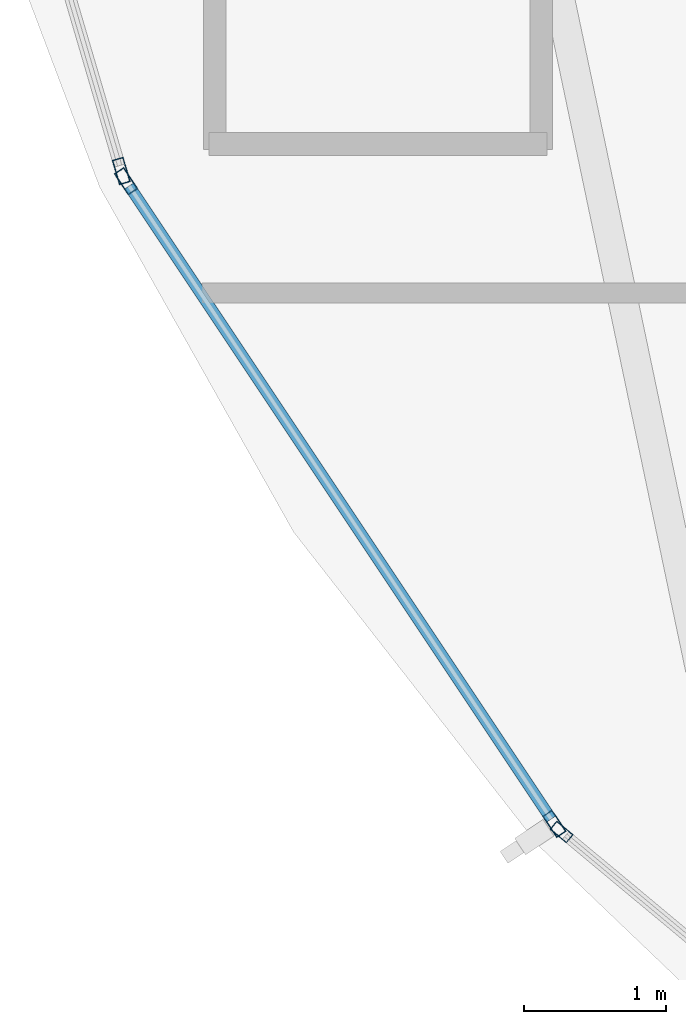
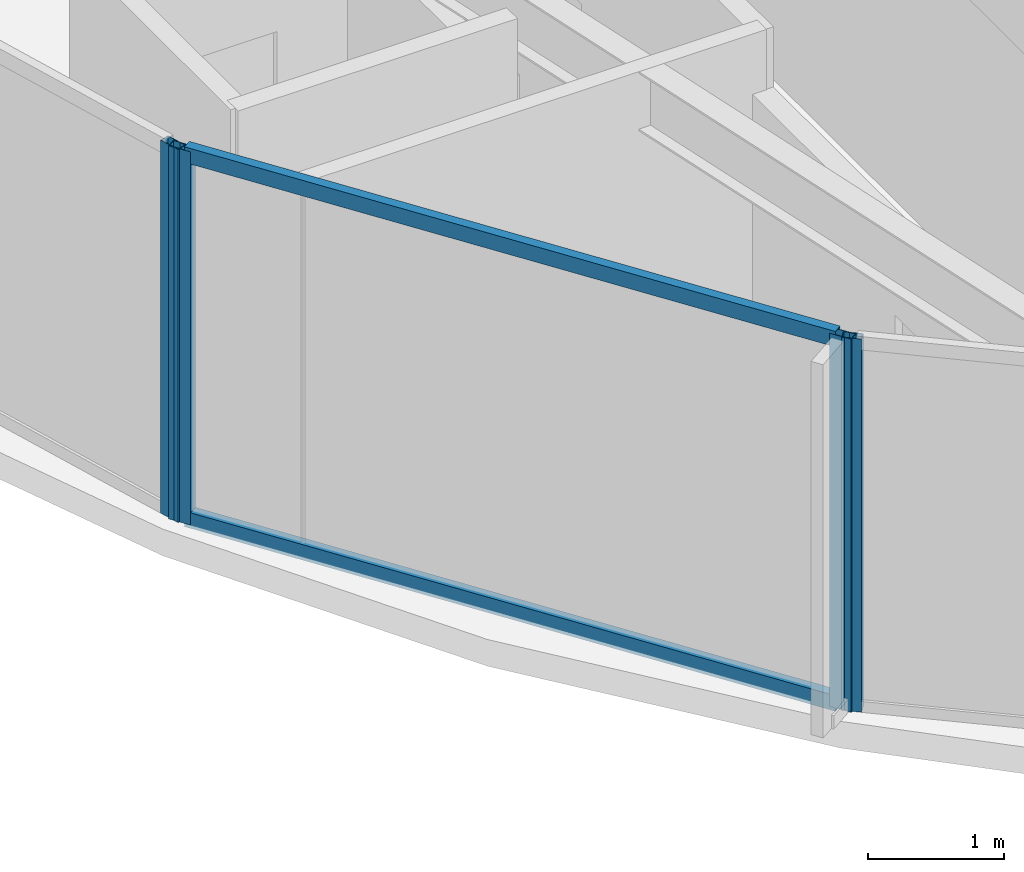
# One storey, part 3 of 29: 6 members, 3 elements without a shape of their own.
"""IFC4 building model written with IfcOpenShell, lengths in metres."""

from ifc_helpers import new_model, si_unit, direction, frame, origin, origin_2d, place, context, subcontext, project, spatial, hollow_rectangle, extrude, material, layer, layer_set, material_profile, profile_set, type_object, element, aggregate, save


model = new_model("IFC4")

# Units and contexts
model_context = context("Model", 3, precision=1e-05, world=origin(), true_north=direction((0.0, 1.0)))
body_context = subcontext(model_context, "Body", "Model", "MODEL_VIEW")
ifc_project = project(units=[si_unit("LENGTHUNIT", "METRE"), si_unit("AREAUNIT", "SQUARE_METRE"), si_unit("VOLUMEUNIT", "CUBIC_METRE"), si_unit("PLANEANGLEUNIT", "RADIAN"), si_unit("MASSUNIT", "GRAM", prefix="KILO")], contexts=[model_context])

# Site, building, storey
site_placement = place(None, origin())
site = spatial("IfcSite", under=ifc_project, at=site_placement, CompositionType="ELEMENT")
building_placement = place(site_placement, origin())
building = spatial("IfcBuilding", under=site, at=building_placement, Name="Kazevale Care Tower and Concert Hall", CompositionType="ELEMENT")
storey_placement = place(building_placement, frame((0.0, 0.0, 195.60009765625)))
storey = spatial("IfcBuildingStorey", under=building, at=storey_placement, Name="L51", CompositionType="ELEMENT", Elevation=195.60009765625)

# Curtain wall, members
ifc_material_1 = material(Name="Aluminium 6063-T6 and Low-E Glass", Category="aluminium")
ifc_layer_1 = layer(ifc_material_1, 0.179931640625)
ifc_layer_set_1 = layer_set([ifc_layer_1], Name="Aluminium 6063-T6 and Low-E Glass")
curtain_wall_type_1 = type_object("IfcCurtainWallType", Name="Waist & Upper Residential Curtain Wall CW-4", PredefinedType="NOTDEFINED", material=ifc_layer_set_1)
curtain_wall_1_placement = place(storey_placement, origin())
curtain_wall_1 = element("IfcCurtainWall", 1, at=curtain_wall_1_placement, inside=storey, type_object=curtain_wall_type_1, Name="cw:L51:f11", PredefinedType="NOTDEFINED")
ifc_material_2 = material(Name="Aluminium 6063-T6", Category="aluminium")
ifc_material_profile_1 = material_profile(ifc_material_2, hollow_rectangle(XDim=0.080078125, YDim=0.179931640625, WallThickness=0.0048828125, at=origin_2d()), Name="ALU80x180x5")
ifc_profile_set_1 = profile_set([ifc_material_profile_1], Name="Aluminium 6063-T6")
member_type_1 = type_object("IfcMemberType", Name="CW-4 Mullion ALU80x180x5", PredefinedType="MULLION", material=ifc_profile_set_1)
member_1_placement = place(storey_placement, frame((18.185791015625, 25.26318359375, 0.0), z_axis=(0.0, 0.0, 1.0), x_axis=(-0.832106058512, -0.554616540853, 0.0)))
member_1 = element("IfcMember", 2, at=member_1_placement, type_object=member_type_1, Name="CW-4 mullion 1", PredefinedType="MULLION", context=body_context, shape_type="SweptSolid", body=[
    extrude(hollow_rectangle(XDim=0.080078125, YDim=0.179931640625, WallThickness=0.0048828125, at=origin_2d()), origin(), (0.0, 0.0, 1.0), 3.35986328125),
])
member_2_placement = place(storey_placement, frame((15.170166015625, 29.78759765625, 0.0), z_axis=(0.0, 0.0, 1.0), x_axis=(-0.832106058512, -0.554616540853, 0.0)))
member_2 = element("IfcMember", 3, at=member_2_placement, type_object=member_type_1, Name="CW-4 mullion 2", PredefinedType="MULLION", context=body_context, shape_type="SweptSolid", body=[
    extrude(hollow_rectangle(XDim=0.080078125, YDim=0.179931640625, WallThickness=0.0048828125, at=origin_2d()), origin(), (0.0, 0.0, 1.0), 3.35986328125),
])

# Curtain wall, member
curtain_wall_2_placement = place(storey_placement, origin())
curtain_wall_2 = element("IfcCurtainWall", 4, at=curtain_wall_2_placement, inside=storey, type_object=curtain_wall_type_1, Name="cw:L51:f12", PredefinedType="NOTDEFINED")
member_3_placement = place(storey_placement, frame((15.13671875, 29.859375, 0.0), z_axis=(0.0, 0.0, 1.0), x_axis=(-0.959385539982, -0.282098184457, 0.0)))
member_3 = element("IfcMember", 5, at=member_3_placement, type_object=member_type_1, Name="CW-4 mullion 1", PredefinedType="MULLION", context=body_context, shape_type="SweptSolid", body=[
    extrude(hollow_rectangle(XDim=0.080078125, YDim=0.179931640625, WallThickness=0.0048828125, at=origin_2d()), origin(), (0.0, 0.0, 1.0), 3.35986328125),
])
aggregate(curtain_wall_2, [member_3])

# Member
ifc_material_profile_2 = material_profile(ifc_material_2, hollow_rectangle(XDim=0.080078125, YDim=0.139892578125, WallThickness=0.00390625, at=origin_2d()), Name="ALU80x140x4")
ifc_profile_set_2 = profile_set([ifc_material_profile_2], Name="Aluminium 6063-T6")
member_type_2 = type_object("IfcMemberType", Name="CW-4 Transom ALU80x140x4", PredefinedType="USERDEFINED", material=ifc_profile_set_2)
member_4_placement = place(storey_placement, frame((18.16357421875, 25.296630859375, 0.039794921875), z_axis=(-0.554616059735, 0.832106379187, 0.0), x_axis=(-0.832106379187, -0.554616059735, 0.0)))
member_4 = element("IfcMember", 6, at=member_4_placement, type_object=member_type_2, Name="CW-4 transom 1.1", ObjectType="TRANSOM", PredefinedType="USERDEFINED", context=body_context, shape_type="SweptSolid", body=[
    extrude(hollow_rectangle(XDim=0.080078125, YDim=0.139892578125, WallThickness=0.00390625, at=origin_2d()), origin(), (0.0, 0.0, 1.0), 5.357177734375),
])

member_5_placement = place(storey_placement, frame((18.16357421875, 25.296630859375, 3.31982421875), z_axis=(-0.554616059735, 0.832106379187, 0.0), x_axis=(-0.832106379187, -0.554616059735, 0.0)))
member_5 = element("IfcMember", 7, at=member_5_placement, type_object=member_type_2, Name="CW-4 transom 1.2", ObjectType="TRANSOM", PredefinedType="USERDEFINED", context=body_context, shape_type="SweptSolid", body=[
    extrude(hollow_rectangle(XDim=0.080078125, YDim=0.139892578125, WallThickness=0.00390625, at=origin_2d()), origin(), (0.0, 0.0, 1.0), 5.357177734375),
])

aggregate(curtain_wall_1, [member_1, member_2, member_4, member_5])

# Curtain wall, member
ifc_layer_2 = layer(ifc_material_1, 0.179931640625)
ifc_layer_set_2 = layer_set([ifc_layer_2], Name="Aluminium 6063-T6 and Low-E Glass")
curtain_wall_type_2 = type_object("IfcCurtainWallType", Name="Sheltered Concave Balcony Curtain Wall CW-5", PredefinedType="NOTDEFINED", material=ifc_layer_set_2)
curtain_wall_3_placement = place(storey_placement, origin())
curtain_wall_3 = element("IfcCurtainWall", 8, at=curtain_wall_3_placement, inside=storey, type_object=curtain_wall_type_2, Name="cw:L51:f10", PredefinedType="NOTDEFINED")
ifc_material_profile_3 = material_profile(ifc_material_2, hollow_rectangle(XDim=0.074951171875, YDim=0.14990234375, WallThickness=0.00390625, at=origin_2d()), Name="ALU75x150x4")
ifc_profile_set_3 = profile_set([ifc_material_profile_3], Name="Aluminium 6063-T6")
member_type_3 = type_object("IfcMemberType", Name="CW-5 Mullion ALU75x150x4", PredefinedType="MULLION", material=ifc_profile_set_3)
member_6_placement = place(storey_placement, frame((18.23681640625, 25.2060546875, 0.0), z_axis=(0.0, 0.0, 1.0), x_axis=(-0.639961217204, -0.768407210062, 0.0)))
member_6 = element("IfcMember", 9, at=member_6_placement, type_object=member_type_3, Name="CW-5 mullion 2", PredefinedType="MULLION", context=body_context, shape_type="SweptSolid", body=[
    extrude(hollow_rectangle(XDim=0.074951171875, YDim=0.14990234375, WallThickness=0.00390625, at=origin_2d()), origin(), (0.0, 0.0, 1.0), 3.35986328125),
])
aggregate(curtain_wall_3, [member_6])

save(model, "model.ifc")
